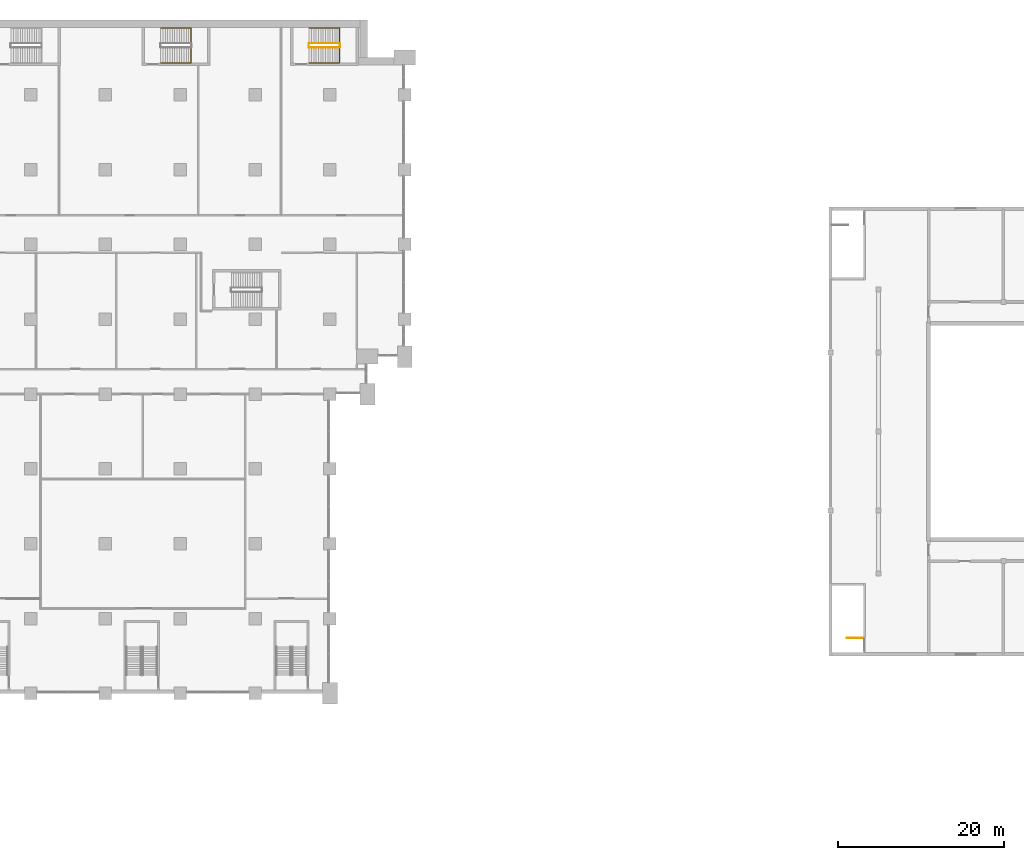
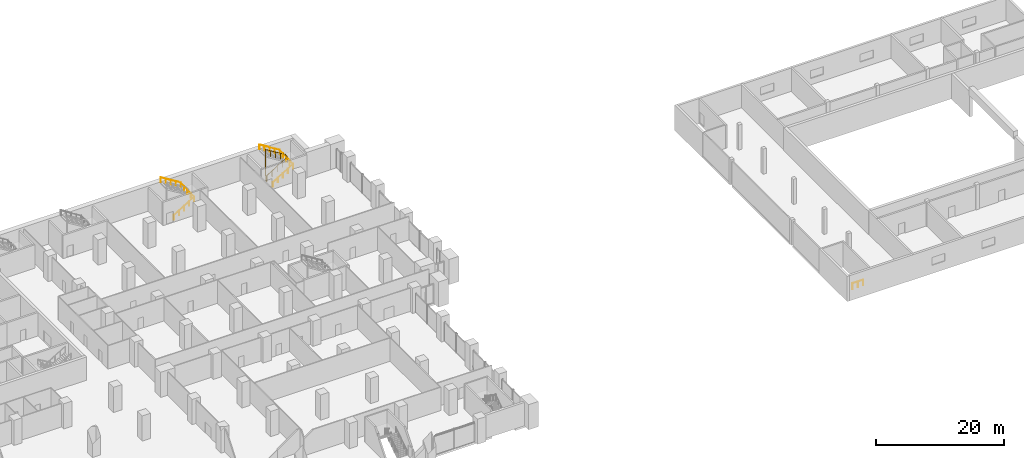
# One storey, part 30 of 31: 4 railings.
"""IFC4 building model written with IfcOpenShell, lengths in metres."""

from ifc_helpers import new_model, si_unit, direction, frame, origin, origin_2d, place, context, subcontext, project, spatial, circle, extrude, material, type_object, element, save


model = new_model("IFC4")

# Units and contexts
model_context = context("Model", 3, precision=1e-05, world=origin(), true_north=direction((0.0, 1.0)))
body_context = subcontext(model_context, "Body", "Model", "MODEL_VIEW")
ifc_project = project(units=[si_unit("LENGTHUNIT", "METRE"), si_unit("AREAUNIT", "SQUARE_METRE"), si_unit("VOLUMEUNIT", "CUBIC_METRE"), si_unit("PLANEANGLEUNIT", "RADIAN"), si_unit("MASSUNIT", "GRAM", prefix="KILO")], contexts=[model_context])

# Site, building, storey
site_placement = place(None, origin())
site = spatial("IfcSite", under=ifc_project, at=site_placement, CompositionType="ELEMENT")
building_placement = place(site_placement, origin())
building = spatial("IfcBuilding", under=site, at=building_placement, Name="Hunhe Ridgeline Campus", CompositionType="ELEMENT")
storey_placement = place(building_placement, frame((0.0, 0.0, 16.800048828125)))
storey = spatial("IfcBuildingStorey", under=building, at=storey_placement, Name="L03", CompositionType="ELEMENT", Elevation=16.800048828125)

# Railings
ifc_material_1 = material(Name="Steel Q235", Category="steel")
railing_type_1 = type_object("IfcRailingType", Name="Hall stair guard 1100", PredefinedType="GUARDRAIL", material=ifc_material_1)
railing_1_placement = place(storey_placement, frame((154.14990234375, 24.64990234375, 0.0)))
element("IfcRailing", 1, at=railing_1_placement, inside=storey, type_object=railing_type_1, Name="L03 HS1 top well guard 1", PredefinedType="GUARDRAIL", context=body_context, shape_type="SweptSolid", body=[
    extrude(circle(Radius=0.02392578125, at=origin_2d()), frame((0.0, 0.0, 1.076171875), z_axis=(-1.0, 0.0, 0.0), x_axis=(0.0, -1.0, 0.0)), (0.0, 0.0, 1.0), 1.949951171875),
    extrude(circle(Radius=0.02099609375, at=origin_2d()), origin(), (0.0, 0.0, 1.0), 1.052001953125),
    extrude(circle(Radius=0.02099609375, at=origin_2d()), frame((-0.97509765625, 0.0, 0.0)), (0.0, 0.0, 1.0), 1.052001953125),
    extrude(circle(Radius=0.02099609375, at=origin_2d()), frame((-1.949951171875, 0.0, 0.0)), (0.0, 0.0, 1.0), 1.052001953125),
])
ifc_material_2 = material(Name="Stainless steel balustrade", Category="steel")
railing_type_2 = type_object("IfcRailingType", Name="Stair guard 1100 stainless", PredefinedType="GUARDRAIL", material=ifc_material_2)
railing_2_placement = place(storey_placement, frame((87.5, 95.699951171875, 0.17138671875)))
element("IfcRailing", 2, at=railing_2_placement, inside=storey, type_object=railing_type_2, Name="L03 stair E4 guard", PredefinedType="GUARDRAIL", context=body_context, shape_type="SweptSolid", body=[
    extrude(circle(Radius=0.02392578125, at=origin_2d()), frame((0.0, 0.0, 1.076171875), z_axis=(0.852850264322, 0.0, 0.5221555579), x_axis=(0.0, 1.0, 0.0)), (0.0, 0.0, 1.0), 4.267822265625),
    extrude(circle(Radius=0.02392578125, at=origin_2d()), frame((3.639892578125, 0.0, 3.3046875), z_axis=(0.707106781187, 0.707106781187, 0.0), x_axis=(-0.707106781187, 0.707106781187, 0.0)), (0.0, 0.0, 1.0), 0.07080078125),
    extrude(circle(Radius=0.02392578125, at=origin_2d()), frame((3.68994140625, 0.050048828125, 3.3046875), z_axis=(0.0, 1.0, 0.0), x_axis=(-1.0, 0.0, 0.0)), (0.0, 0.0, 1.0), 0.39990234375),
    extrude(circle(Radius=0.02392578125, at=origin_2d()), frame((3.68994140625, 0.449951171875, 3.3046875), z_axis=(-0.269911200495, 0.269911200495, 0.924281281696), x_axis=(-0.707106781187, -0.707106781187, 0.0)), (0.0, 0.0, 1.0), 0.185546875),
    extrude(circle(Radius=0.02392578125, at=origin_2d()), frame((3.639892578125, 0.5, 3.47607421875), z_axis=(-0.852824790078, 0.0, 0.522197163366), x_axis=(0.0, -1.0, 0.0)), (0.0, 0.0, 1.0), 4.26806640625),
    extrude(circle(Radius=0.02392578125, at=origin_2d()), frame((0.0, 0.5, 5.70458984375), z_axis=(-0.010425599751, -0.010425599751, -0.999891300962), x_axis=(0.707106781187, -0.707106781187, 0.0)), (0.0, 0.0, 1.0), 4.800537109375),
    extrude(circle(Radius=0.02392578125, at=origin_2d()), frame((-0.050048828125, 0.449951171875, 0.90478515625), z_axis=(0.0, -1.0, 0.0), x_axis=(1.0, 0.0, 0.0)), (0.0, 0.0, 1.0), 0.39990234375),
    extrude(circle(Radius=0.02099609375, at=origin_2d()), origin(), (0.0, 0.0, 1.0), 1.052001953125),
    extrude(circle(Radius=0.02099609375, at=origin_2d()), frame((0.909912109375, 0.0, 0.55712890625)), (0.0, 0.0, 1.0), 1.052001953125),
    extrude(circle(Radius=0.02099609375, at=origin_2d()), frame((1.81982421875, 0.0, 1.1142578125)), (0.0, 0.0, 1.0), 1.052001953125),
    extrude(circle(Radius=0.02099609375, at=origin_2d()), frame((2.72998046875, 0.0, 1.67138671875)), (0.0, 0.0, 1.0), 1.052001953125),
    extrude(circle(Radius=0.02099609375, at=origin_2d()), frame((3.639892578125, 0.0, 2.228515625)), (0.0, 0.0, 1.0), 1.052001953125),
    extrude(circle(Radius=0.02099609375, at=origin_2d()), frame((3.68994140625, 0.050048828125, 2.228515625)), (0.0, 0.0, 1.0), 1.052001953125),
    extrude(circle(Radius=0.02099609375, at=origin_2d()), frame((3.68994140625, 0.449951171875, 2.228515625)), (0.0, 0.0, 1.0), 1.052001953125),
    extrude(circle(Radius=0.02099609375, at=origin_2d()), frame((3.639892578125, 0.5, 2.39990234375)), (0.0, 0.0, 1.0), 1.052001953125),
    extrude(circle(Radius=0.02099609375, at=origin_2d()), frame((2.72998046875, 0.5, 2.95703125)), (0.0, 0.0, 1.0), 1.052001953125),
    extrude(circle(Radius=0.02099609375, at=origin_2d()), frame((1.81982421875, 0.5, 3.51416015625)), (0.0, 0.0, 1.0), 1.052001953125),
    extrude(circle(Radius=0.02099609375, at=origin_2d()), frame((0.909912109375, 0.5, 4.071533203125)), (0.0, 0.0, 1.0), 1.052001953125),
    extrude(circle(Radius=0.02099609375, at=origin_2d()), frame((0.0, 0.5, 4.628662109375)), (0.0, 0.0, 1.0), 1.052001953125),
    extrude(circle(Radius=0.02099609375, at=origin_2d()), frame((-0.010009765625, 0.489990234375, 3.668701171875)), (0.0, 0.0, 1.0), 1.052001953125),
    extrude(circle(Radius=0.02099609375, at=origin_2d()), frame((-0.02001953125, 0.47998046875, 2.708740234375)), (0.0, 0.0, 1.0), 1.052001953125),
    extrude(circle(Radius=0.02099609375, at=origin_2d()), frame((-0.030029296875, 0.469970703125, 1.74853515625)), (0.0, 0.0, 1.0), 1.052001953125),
    extrude(circle(Radius=0.02099609375, at=origin_2d()), frame((-0.0400390625, 0.4599609375, 0.78857421875)), (0.0, 0.0, 1.0), 1.052001953125),
    extrude(circle(Radius=0.02099609375, at=origin_2d()), frame((-0.050048828125, 0.449951171875, -0.17138671875)), (0.0, 0.0, 1.0), 1.052001953125),
    extrude(circle(Radius=0.02099609375, at=origin_2d()), frame((-0.050048828125, 0.050048828125, -0.17138671875)), (0.0, 0.0, 1.0), 1.052001953125),
])
ifc_material_3 = material(Name="Stainless steel handrail", Category="steel")
railing_type_3 = type_object("IfcRailingType", Name="Stair handrail 900 stainless", PredefinedType="HANDRAIL", material=ifc_material_3)
railing_3_placement = place(storey_placement, frame((69.64990234375, 93.85009765625, 0.17138671875)))
element("IfcRailing", 3, at=railing_3_placement, inside=storey, type_object=railing_type_3, Name="L03 stair E3 handrail", PredefinedType="HANDRAIL", context=body_context, shape_type="SweptSolid", body=[
    extrude(circle(Radius=0.02392578125, at=origin_2d()), frame((0.0, 0.0, 0.8759765625), z_axis=(0.852865859571, 0.0, 0.52213008492), x_axis=(0.0, 1.0, 0.0)), (0.0, 0.0, 1.0), 4.26806640625),
    extrude(circle(Radius=0.02392578125, at=origin_2d()), frame((3.64013671875, 0.0, 3.1044921875), z_axis=(0.0, 0.999168439458, 0.040772902662), x_axis=(-1.0, 0.0, 0.0)), (0.0, 0.0, 1.0), 4.203369140625),
    extrude(circle(Radius=0.02392578125, at=origin_2d()), frame((3.64013671875, 4.199951171875, 3.27587890625), z_axis=(-0.852840387347, 0.0, 0.522171689878), x_axis=(0.0, -1.0, 0.0)), (0.0, 0.0, 1.0), 4.268310546875),
    extrude(circle(Radius=0.02099609375, at=origin_2d()), origin(), (0.0, 0.0, 1.0), 0.851806640625),
    extrude(circle(Radius=0.02099609375, at=origin_2d()), frame((0.91015625, 0.0, 0.55712890625)), (0.0, 0.0, 1.0), 0.851806640625),
    extrude(circle(Radius=0.02099609375, at=origin_2d()), frame((1.820068359375, 0.0, 1.1142578125)), (0.0, 0.0, 1.0), 0.851806640625),
    extrude(circle(Radius=0.02099609375, at=origin_2d()), frame((2.72998046875, 0.0, 1.67138671875)), (0.0, 0.0, 1.0), 0.851806640625),
    extrude(circle(Radius=0.02099609375, at=origin_2d()), frame((3.64013671875, 0.0, 2.228515625)), (0.0, 0.0, 1.0), 0.851806640625),
    extrude(circle(Radius=0.02099609375, at=origin_2d()), frame((3.64013671875, 1.050048828125, 2.271484375)), (0.0, 0.0, 1.0), 0.851806640625),
    extrude(circle(Radius=0.02099609375, at=origin_2d()), frame((3.64013671875, 2.10009765625, 2.314208984375)), (0.0, 0.0, 1.0), 0.851806640625),
    extrude(circle(Radius=0.02099609375, at=origin_2d()), frame((3.64013671875, 3.14990234375, 2.35693359375)), (0.0, 0.0, 1.0), 0.851806640625),
    extrude(circle(Radius=0.02099609375, at=origin_2d()), frame((3.64013671875, 4.199951171875, 2.39990234375)), (0.0, 0.0, 1.0), 0.851806640625),
    extrude(circle(Radius=0.02099609375, at=origin_2d()), frame((2.72998046875, 4.199951171875, 2.95703125)), (0.0, 0.0, 1.0), 0.851806640625),
    extrude(circle(Radius=0.02099609375, at=origin_2d()), frame((1.820068359375, 4.199951171875, 3.51416015625)), (0.0, 0.0, 1.0), 0.851806640625),
    extrude(circle(Radius=0.02099609375, at=origin_2d()), frame((0.91015625, 4.199951171875, 4.071533203125)), (0.0, 0.0, 1.0), 0.851806640625),
    extrude(circle(Radius=0.02099609375, at=origin_2d()), frame((0.0, 4.199951171875, 4.628662109375)), (0.0, 0.0, 1.0), 0.851806640625),
])
railing_4_placement = place(storey_placement, frame((87.5, 93.85009765625, 0.17138671875)))
element("IfcRailing", 4, at=railing_4_placement, inside=storey, type_object=railing_type_3, Name="L03 stair E4 handrail", PredefinedType="HANDRAIL", context=body_context, shape_type="SweptSolid", body=[
    extrude(circle(Radius=0.02392578125, at=origin_2d()), frame((0.0, 0.0, 0.8759765625), z_axis=(0.852850264322, 0.0, 0.5221555579), x_axis=(0.0, 1.0, 0.0)), (0.0, 0.0, 1.0), 4.267822265625),
    extrude(circle(Radius=0.02392578125, at=origin_2d()), frame((3.639892578125, 0.0, 3.1044921875), z_axis=(0.0, 0.999168439458, 0.040772902662), x_axis=(-1.0, 0.0, 0.0)), (0.0, 0.0, 1.0), 4.203369140625),
    extrude(circle(Radius=0.02392578125, at=origin_2d()), frame((3.639892578125, 4.199951171875, 3.27587890625), z_axis=(-0.852824790078, 0.0, 0.522197163366), x_axis=(0.0, -1.0, 0.0)), (0.0, 0.0, 1.0), 4.26806640625),
    extrude(circle(Radius=0.02099609375, at=origin_2d()), origin(), (0.0, 0.0, 1.0), 0.851806640625),
    extrude(circle(Radius=0.02099609375, at=origin_2d()), frame((0.909912109375, 0.0, 0.55712890625)), (0.0, 0.0, 1.0), 0.851806640625),
    extrude(circle(Radius=0.02099609375, at=origin_2d()), frame((1.81982421875, 0.0, 1.1142578125)), (0.0, 0.0, 1.0), 0.851806640625),
    extrude(circle(Radius=0.02099609375, at=origin_2d()), frame((2.72998046875, 0.0, 1.67138671875)), (0.0, 0.0, 1.0), 0.851806640625),
    extrude(circle(Radius=0.02099609375, at=origin_2d()), frame((3.639892578125, 0.0, 2.228515625)), (0.0, 0.0, 1.0), 0.851806640625),
    extrude(circle(Radius=0.02099609375, at=origin_2d()), frame((3.639892578125, 1.050048828125, 2.271484375)), (0.0, 0.0, 1.0), 0.851806640625),
    extrude(circle(Radius=0.02099609375, at=origin_2d()), frame((3.639892578125, 2.10009765625, 2.314208984375)), (0.0, 0.0, 1.0), 0.851806640625),
    extrude(circle(Radius=0.02099609375, at=origin_2d()), frame((3.639892578125, 3.14990234375, 2.35693359375)), (0.0, 0.0, 1.0), 0.851806640625),
    extrude(circle(Radius=0.02099609375, at=origin_2d()), frame((3.639892578125, 4.199951171875, 2.39990234375)), (0.0, 0.0, 1.0), 0.851806640625),
    extrude(circle(Radius=0.02099609375, at=origin_2d()), frame((2.72998046875, 4.199951171875, 2.95703125)), (0.0, 0.0, 1.0), 0.851806640625),
    extrude(circle(Radius=0.02099609375, at=origin_2d()), frame((1.81982421875, 4.199951171875, 3.51416015625)), (0.0, 0.0, 1.0), 0.851806640625),
    extrude(circle(Radius=0.02099609375, at=origin_2d()), frame((0.909912109375, 4.199951171875, 4.071533203125)), (0.0, 0.0, 1.0), 0.851806640625),
    extrude(circle(Radius=0.02099609375, at=origin_2d()), frame((0.0, 4.199951171875, 4.628662109375)), (0.0, 0.0, 1.0), 0.851806640625),
])

save(model, "model.ifc")
